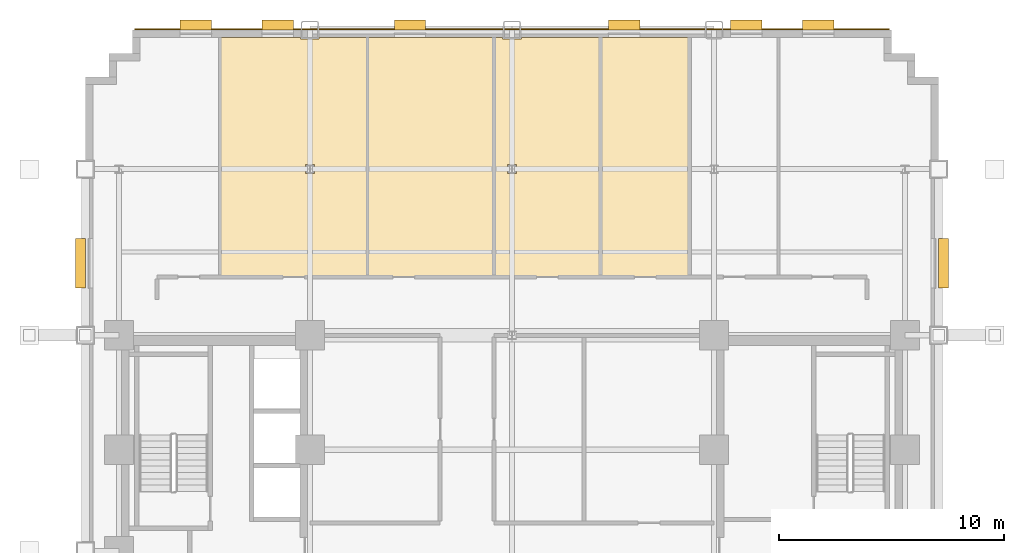
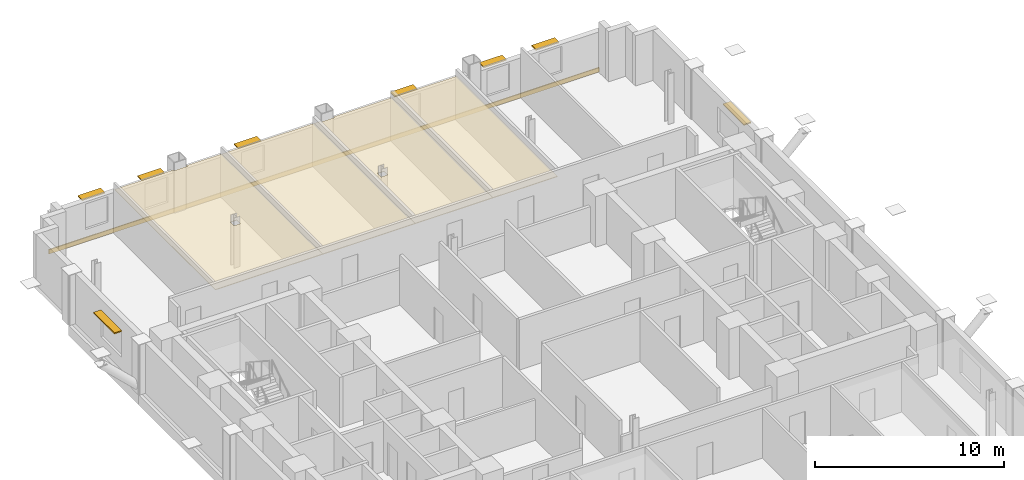
# One storey, part 12 of 12: 8 shading devices, 5 coverings.
"""IFC4 building model written with IfcOpenShell, lengths in metres."""

from ifc_helpers import new_model, si_unit, direction, frame, origin, origin_2d, place, context, subcontext, project, spatial, polyline, rectangle, outline, extrude, source, transform, mapped, material, layer, layer_set, type_object, type_shapes, element, save


model = new_model("IFC4")

# Units and contexts
model_context = context("Model", 3, precision=1e-05, world=origin(), true_north=direction((0.0, 1.0)))
body_context = subcontext(model_context, "Body", "Model", "MODEL_VIEW")
ifc_project = project(units=[si_unit("LENGTHUNIT", "METRE"), si_unit("AREAUNIT", "SQUARE_METRE"), si_unit("VOLUMEUNIT", "CUBIC_METRE"), si_unit("PLANEANGLEUNIT", "RADIAN"), si_unit("MASSUNIT", "GRAM", prefix="KILO")], contexts=[model_context])

# Site, building, storey
site_placement = place(None, origin())
site = spatial("IfcSite", under=ifc_project, at=site_placement, CompositionType="ELEMENT")
building_placement = place(site_placement, origin())
building = spatial("IfcBuilding", under=site, at=building_placement, Name="Nuvemarco Arch Tower", CompositionType="ELEMENT")
storey_placement = place(building_placement, frame((0.0, 0.0, 53.14990234375)))
storey = spatial("IfcBuildingStorey", under=building, at=storey_placement, Name="L13", CompositionType="ELEMENT", Elevation=53.14990234375)

# Coverings
ifc_material_1 = material(Name="Mineral acoustic ceiling tile")
ifc_layer_1 = layer(ifc_material_1, 0.0400390625, Name="COV-ACOUSTIC-CLG")
ifc_layer_set_1 = layer_set([ifc_layer_1], Name="Mineral acoustic ceiling tile")
covering_type_1 = type_object("IfcCoveringType", Name="COV-ACOUSTIC-CLG", PredefinedType="CEILING", material=ifc_layer_set_1)
covering_1_placement = place(storey_placement, frame((0.0, 0.0, 2.72998046875)))
element("IfcCovering", 1, at=covering_1_placement, inside=storey, type_object=covering_type_1, Name="L13 suspended acoustic ceiling 2", PredefinedType="CEILING", context=body_context, shape_type="SweptSolid", body=[
    extrude(outline(polyline([(-6.43994140625, 12.199951171875), (-12.989990234375, 12.199951171875), (-12.989990234375, 22.860107421875), (-9.4150390625, 22.860107421875), (-9.4150390625, 22.784912109375), (-8.5849609375, 22.784912109375), (-8.5849609375, 22.860107421875), (-6.43994140625, 22.860107421875), (-6.43994140625, 12.199951171875)]), holes=[polyline([(-8.804931640625, 16.804931640625), (-8.804931640625, 17.195068359375), (-9.195068359375, 17.195068359375), (-9.195068359375, 16.804931640625), (-8.804931640625, 16.804931640625)])]), origin(), (0.0, 0.0, 1.0), 0.0400390625),
])
covering_2_placement = place(storey_placement, frame((0.0, 0.0, 2.72998046875)))
element("IfcCovering", 2, at=covering_2_placement, inside=storey, type_object=covering_type_1, Name="L13 suspended acoustic ceiling 3", PredefinedType="CEILING", context=body_context, shape_type="SweptSolid", body=[
    extrude(outline(polyline([(-0.800048828125, 12.199951171875), (-3.199951171875, 12.199951171875), (-6.43994140625, 12.199951171875), (-6.43994140625, 22.860107421875), (-0.800048828125, 22.860107421875), (-0.800048828125, 12.199951171875)])), origin(), (0.0, 0.0, 1.0), 0.0400390625),
])
covering_3_placement = place(storey_placement, frame((0.0, 0.0, 2.72998046875)))
element("IfcCovering", 3, at=covering_3_placement, inside=storey, type_object=covering_type_1, Name="L13 suspended acoustic ceiling 5", PredefinedType="CEILING", context=body_context, shape_type="SweptSolid", body=[
    extrude(outline(polyline([(3.949951171875, 12.199951171875), (-0.800048828125, 12.199951171875), (-0.800048828125, 22.860107421875), (-0.4150390625, 22.860107421875), (-0.4150390625, 22.784912109375), (0.4150390625, 22.784912109375), (0.4150390625, 22.860107421875), (3.949951171875, 22.860107421875), (3.949951171875, 12.199951171875)]), holes=[polyline([(0.195068359375, 16.804931640625), (0.195068359375, 17.195068359375), (-0.195068359375, 17.195068359375), (-0.195068359375, 16.804931640625), (0.195068359375, 16.804931640625)])]), origin(), (0.0, 0.0, 1.0), 0.0400390625),
])
covering_4_placement = place(storey_placement, frame((0.0, 0.0, 2.72998046875)))
element("IfcCovering", 4, at=covering_4_placement, inside=storey, type_object=covering_type_1, Name="L13 suspended acoustic ceiling 7", PredefinedType="CEILING", context=body_context, shape_type="SweptSolid", body=[
    extrude(outline(polyline([(3.949951171875, 12.199951171875), (3.949951171875, 22.860107421875), (7.909912109375, 22.860107421875), (7.909912109375, 12.199951171875), (3.949951171875, 12.199951171875)])), origin(), (0.0, 0.0, 1.0), 0.0400390625),
])

# Shading devices
ifc_material_2 = material(Name="Anodised aluminium 6063-T6", Category="aluminium")
shading_device_type_1 = type_object("IfcShadingDeviceType", Name="SHD-BRISE-SOLEIL", PredefinedType="USERDEFINED", material=ifc_material_2)
shared_shape_1 = source(origin(), body_context, "Body", "SweptSolid", [
    extrude(rectangle(XDim=2.199951171875, YDim=0.449951171875, at=origin_2d()), origin(), (0.0, 0.0, 1.0), 0.080078125),
])
type_shapes(shading_device_type_1, [shared_shape_1])
for number, where, z_axis, x_axis, name in (
    (5, (19.215087890625, 12.802490234375, 2.455078125), (0.0, 0.0, 1.0), (0.0, 1.0, 0.0), "L13 horizontal brise-soleil sunshade"),
    (6, (-19.215087890625, 12.802490234375, 2.455078125), (0.0, 0.0, 1.0), (0.0, 1.0, 0.0), "L13 horizontal brise-soleil sunshade"),
):
    element("IfcShadingDevice", number, at=place(storey_placement, frame(where, z_axis=z_axis, x_axis=x_axis)), inside=storey, type_object=shading_device_type_1, Name=name, ObjectType="SUNSHADE", PredefinedType="USERDEFINED", context=body_context, shape_type="MappedRepresentation", body=[
        mapped(shared_shape_1, transform((0.0, 0.0, 0.0), scale=1.0)),
    ])
shading_device_type_2 = type_object("IfcShadingDeviceType", Name="SHD-BRISE-NARROW", PredefinedType="USERDEFINED", material=ifc_material_2)
shared_shape_2 = source(origin(), body_context, "Body", "SweptSolid", [
    extrude(rectangle(XDim=1.39990234375, YDim=0.449951171875, at=origin_2d()), origin(), (0.0, 0.0, 1.0), 0.080078125),
])
type_shapes(shading_device_type_2, [shared_shape_2])
for number, where, z_axis, x_axis, name in (
    (7, (-14.07861328125, 23.4150390625, 2.455078125), (0.0, 0.0, 1.0), (1.0, 0.0, 0.0), "L13 horizontal brise-soleil sunshade"),
    (8, (-10.435791015625, 23.4150390625, 2.455078125), (0.0, 0.0, 1.0), (1.0, 0.0, 0.0), "L13 horizontal brise-soleil sunshade"),
    (9, (-4.54296875, 23.4150390625, 2.455078125), (0.0, 0.0, 1.0), (1.0, 0.0, 0.0), "L13 horizontal brise-soleil sunshade"),
    (10, (4.992919921875, 23.4150390625, 2.455078125), (0.0, 0.0, 1.0), (1.0, 0.0, 0.0), "L13 horizontal brise-soleil sunshade"),
    (11, (10.435791015625, 23.4150390625, 2.455078125), (0.0, 0.0, 1.0), (1.0, 0.0, 0.0), "L13 horizontal brise-soleil sunshade"),
    (12, (13.628662109375, 23.4150390625, 2.455078125), (0.0, 0.0, 1.0), (1.0, 0.0, 0.0), "L13 horizontal brise-soleil sunshade"),
):
    element("IfcShadingDevice", number, at=place(storey_placement, frame(where, z_axis=z_axis, x_axis=x_axis)), inside=storey, type_object=shading_device_type_2, Name=name, ObjectType="SUNSHADE", PredefinedType="USERDEFINED", context=body_context, shape_type="MappedRepresentation", body=[
        mapped(shared_shape_2, transform((0.0, 0.0, 0.0), scale=1.0)),
    ])

# Covering
ifc_material_3 = material(Name="Precast concrete C45/55", Category="concrete")
ifc_layer_2 = layer(ifc_material_3, 0.06005859375, Name="COV-SPANDREL-CLAD")
ifc_layer_set_2 = layer_set([ifc_layer_2], Name="Precast concrete C45/55")
covering_type_2 = type_object("IfcCoveringType", Name="COV-SPANDREL-CLAD", PredefinedType="CLADDING", material=ifc_layer_set_2)
shared_shape_3 = source(origin(), body_context, "Body", "SweptSolid", [
    extrude(rectangle(XDim=33.60009765625, YDim=0.06005859375, at=origin_2d()), origin(), (0.0, 0.0, 1.0), 0.280029296875),
])
type_shapes(covering_type_2, [shared_shape_3])
covering_5_placement = place(storey_placement, frame((0.0, 23.22900390625, -0.27978515625), z_axis=(0.0, 0.0, 1.0), x_axis=(1.0, 0.0, 0.0)))
element("IfcCovering", 13, at=covering_5_placement, inside=storey, type_object=covering_type_2, Name="L13 precast spandrel edge cladding north", PredefinedType="CLADDING", context=body_context, shape_type="MappedRepresentation", body=[
    mapped(shared_shape_3, transform((0.0, 0.0, 0.0), scale=1.0)),
])

save(model, "model.ifc")
